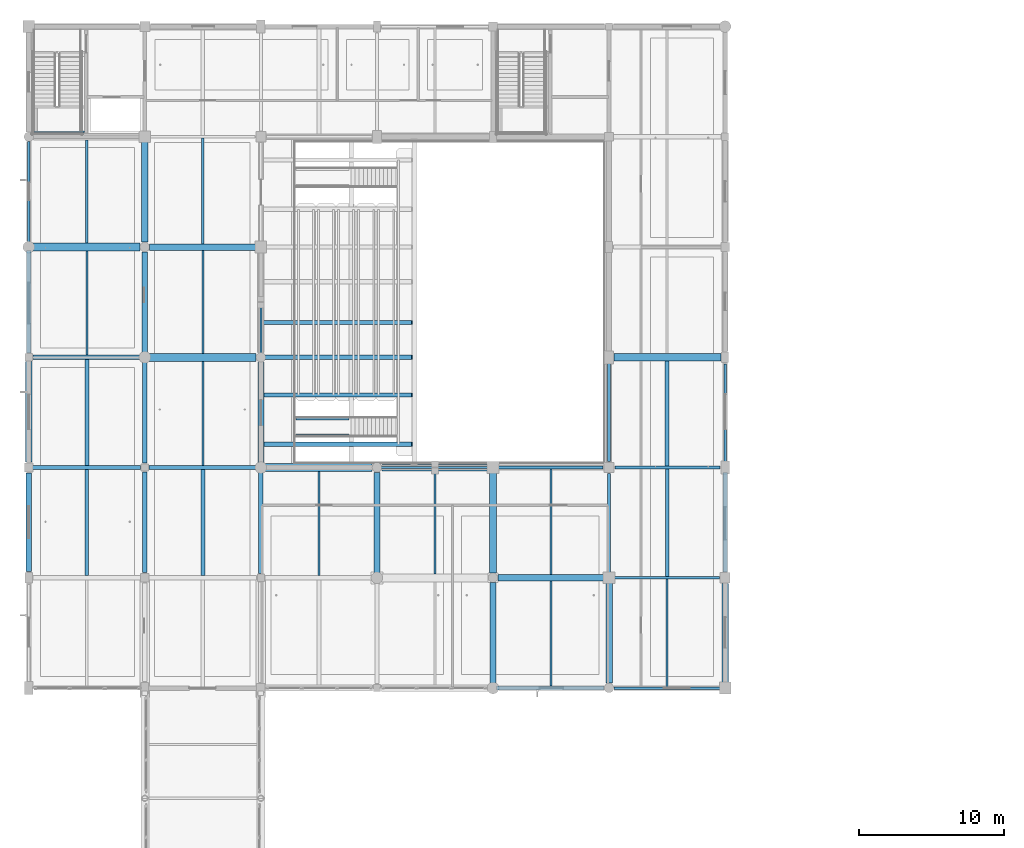
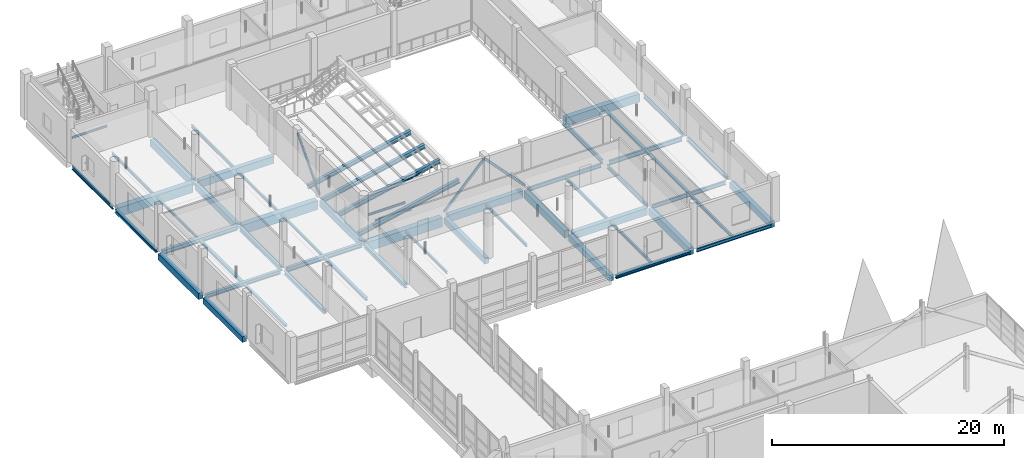
# One storey, part 35 of 147: 56 beams, 3 members.
"""IFC4 building model written with IfcOpenShell, lengths in metres."""

from ifc_helpers import new_model, si_unit, direction, frame, origin, origin_2d, place, context, subcontext, project, spatial, rectangle, hollow_rectangle, i_section, extrude, material, material_profile, profile_set, type_object, element, save


model = new_model("IFC4")

# Units and contexts
model_context = context("Model", 3, precision=1e-05, world=origin(), true_north=direction((0.0, 1.0)))
body_context = subcontext(model_context, "Body", "Model", "MODEL_VIEW")
ifc_project = project(units=[si_unit("LENGTHUNIT", "METRE"), si_unit("AREAUNIT", "SQUARE_METRE"), si_unit("VOLUMEUNIT", "CUBIC_METRE"), si_unit("PLANEANGLEUNIT", "RADIAN"), si_unit("MASSUNIT", "GRAM", prefix="KILO")], contexts=[model_context])

# Site, building, storey
site_placement = place(None, origin())
site = spatial("IfcSite", under=ifc_project, at=site_placement, CompositionType="ELEMENT")
building_placement = place(site_placement, origin())
building = spatial("IfcBuilding", under=site, at=building_placement, Name="Khelvaren Railside Concert Hall", CompositionType="ELEMENT")
storey_placement = place(building_placement, frame((0.0, 0.0, 5.39990234375)))
storey = spatial("IfcBuildingStorey", under=building, at=storey_placement, Name="L01", CompositionType="ELEMENT", Elevation=5.39990234375)

# Beams
ifc_material_1 = material(Name="Steel S355", Category="steel")
ifc_material_profile_1 = material_profile(ifc_material_1, i_section(OverallWidth=0.300048828125, OverallDepth=0.389892578125, WebThickness=0.010986328125, FlangeThickness=0.01904296875, FilletRadius=0.027099609375, at=origin_2d()), Name="HEA 400")
ifc_profile_set_1 = profile_set([ifc_material_profile_1], Name="Steel S355")
beam_type_1 = type_object("IfcBeamType", Name="BM23", PredefinedType="BEAM", material=ifc_profile_set_1)
beam_1_placement = place(storey_placement, frame((0.25, 83.60009765625, -0.494873046875), z_axis=(1.0, 0.0, 0.0), x_axis=(0.0, 1.0, 0.0)))
element("IfcBeam", 1, at=beam_1_placement, inside=storey, type_object=beam_type_1, Name="V4 L01 Beam X3.1", PredefinedType="BEAM", context=body_context, shape_type="SweptSolid", body=[
    extrude(i_section(OverallWidth=0.300048828125, OverallDepth=0.389892578125, WebThickness=0.010986328125, FlangeThickness=0.01904296875, FilletRadius=0.027099609375, at=origin_2d()), origin(), (0.0, 0.0, 1.0), 7.449951171875),
])
beam_2_placement = place(storey_placement, frame((8.0, 76.375, -0.494873046875), z_axis=(0.0, 1.0, 0.0), x_axis=(-1.0, 0.0, 0.0)))
element("IfcBeam", 2, at=beam_2_placement, inside=storey, type_object=beam_type_1, Name="V4 L01 Beam Y2.2", PredefinedType="BEAM", context=body_context, shape_type="SweptSolid", body=[
    extrude(i_section(OverallWidth=0.300048828125, OverallDepth=0.389892578125, WebThickness=0.010986328125, FlangeThickness=0.01904296875, FilletRadius=0.027099609375, at=origin_2d()), origin(), (0.0, 0.0, 1.0), 6.925048828125),
])
ifc_material_profile_2 = material_profile(ifc_material_1, i_section(OverallWidth=0.179931640625, OverallDepth=0.39990234375, WebThickness=0.008544921875, FlangeThickness=0.013427734375, FilletRadius=0.02099609375, at=origin_2d()), Name="IPE 400")
ifc_profile_set_2 = profile_set([ifc_material_profile_2], Name="Steel S355")
beam_type_2 = type_object("IfcBeamType", Name="BM29", PredefinedType="BEAM", material=ifc_profile_set_2)
for number, where, z_axis, x_axis, name in (
    (3, (40.27294921875, 76.0, -0.5), (1.0, 0.0, 0.0), (0.0, 1.0, 0.0), "V4 L01 Beam X2.6"),
    (4, (32.27294921875, 83.60009765625, -0.5), (1.0, 0.0, 0.0), (0.0, 1.0, 0.0), "V4 L01 Beam X3.5"),
):
    element("IfcBeam", number, at=place(storey_placement, frame(where, z_axis=z_axis, x_axis=x_axis)), inside=storey, type_object=beam_type_2, Name=name, PredefinedType="BEAM", context=body_context, shape_type="SweptSolid", body=[
        extrude(i_section(OverallWidth=0.179931640625, OverallDepth=0.39990234375, WebThickness=0.008544921875, FlangeThickness=0.013427734375, FilletRadius=0.02099609375, at=origin_2d()), origin(), (0.0, 0.0, 1.0), 7.3271484375),
    ])
beam_3_placement = place(storey_placement, frame((40.0, 76.27294921875, -0.5), z_axis=(0.0, 1.0, 0.0), x_axis=(-1.0, 0.0, 0.0)))
element("IfcBeam", 5, at=beam_3_placement, inside=storey, type_object=beam_type_2, Name="V4 L01 Beam Y6.2", PredefinedType="BEAM", context=body_context, shape_type="SweptSolid", body=[
    extrude(i_section(OverallWidth=0.179931640625, OverallDepth=0.39990234375, WebThickness=0.008544921875, FlangeThickness=0.013427734375, FilletRadius=0.02099609375, at=origin_2d()), origin(), (0.0, 0.0, 1.0), 6.927001953125),
])
ifc_material_profile_3 = material_profile(ifc_material_1, i_section(OverallWidth=0.1201171875, OverallDepth=0.239990234375, WebThickness=0.006103515625, FlangeThickness=0.009765625, FilletRadius=0.014892578125, at=origin_2d()), Name="IPE 240")
ifc_profile_set_3 = profile_set([ifc_material_profile_3], Name="Steel S355")
beam_type_3 = type_object("IfcBeamType", Name="BM30", PredefinedType="BEAM", material=ifc_profile_set_3)
for number, where, z_axis, x_axis, name in (
    (6, (18.409912109375, 85.85009765625, -0.31982421875), (1.0, 0.0, 0.0), (0.0, 1.0, 0.0), "Vomitory Landing Stringer ST-25-S"),
    (7, (18.409912109375, 86.949951171875, -0.31982421875), (1.0, 0.0, 0.0), (0.0, 1.0, 0.0), "Vomitory Landing Stringer ST-25-N"),
):
    element("IfcBeam", number, at=place(storey_placement, frame(where, z_axis=z_axis, x_axis=x_axis)), inside=storey, type_object=beam_type_3, Name=name, PredefinedType="BEAM", context=body_context, shape_type="SweptSolid", body=[
        extrude(i_section(OverallWidth=0.1201171875, OverallDepth=0.239990234375, WebThickness=0.006103515625, FlangeThickness=0.009765625, FilletRadius=0.014892578125, at=origin_2d()), origin(), (0.0, 0.0, 1.0), 3.66015625),
    ])
ifc_material_2 = material(Name="Concrete C40/50", Category="concrete")
ifc_material_profile_4 = material_profile(ifc_material_2, rectangle(XDim=0.39990234375, YDim=0.64990234375, at=origin_2d()), Name="RCB 400x650")
ifc_profile_set_4 = profile_set([ifc_material_profile_4], Name="Concrete C40/50")
beam_type_4 = type_object("IfcBeamType", Name="BM33", PredefinedType="BEAM", material=ifc_profile_set_4)
beam_4_placement = place(storey_placement, frame((8.0, 91.449951171875, -0.625), z_axis=(0.0, 1.0, 0.0), x_axis=(-1.0, 0.0, 0.0)))
element("IfcBeam", 8, at=beam_4_placement, inside=storey, type_object=beam_type_4, Name="V4 L01 Beam Y2.4", PredefinedType="BEAM", context=body_context, shape_type="SweptSolid", body=[
    extrude(rectangle(XDim=0.39990234375, YDim=0.64990234375, at=origin_2d()), origin(), (0.0, 0.0, 1.0), 7.01416015625),
])
for number, where, z_axis, x_axis, name in (
    (9, (16.0, 83.85009765625, -0.625), (0.0, 1.0, 0.0), (-1.0, 0.0, 0.0), "V4 L01 Beam Y3.3"),
    (10, (24.0, 76.25, -0.625), (0.0, 1.0, 0.0), (-1.0, 0.0, 0.0), "V4 L01 Beam Y4.2"),
):
    element("IfcBeam", number, at=place(storey_placement, frame(where, z_axis=z_axis, x_axis=x_axis)), inside=storey, type_object=beam_type_4, Name=name, PredefinedType="BEAM", context=body_context, shape_type="SweptSolid", body=[
        extrude(rectangle(XDim=0.39990234375, YDim=0.64990234375, at=origin_2d()), origin(), (0.0, 0.0, 1.0), 7.013916015625),
    ])
beam_5_placement = place(storey_placement, frame((32.0, 68.64990234375, -0.625), z_axis=(0.0, 1.0, 0.0), x_axis=(-1.0, 0.0, 0.0)))
element("IfcBeam", 11, at=beam_5_placement, inside=storey, type_object=beam_type_4, Name="V4 L01 Beam Y5.1", PredefinedType="BEAM", context=body_context, shape_type="SweptSolid", body=[
    extrude(rectangle(XDim=0.39990234375, YDim=0.64990234375, at=origin_2d()), origin(), (0.0, 0.0, 1.0), 7.01416015625),
])
ifc_material_profile_5 = material_profile(ifc_material_2, rectangle(XDim=0.449951171875, YDim=0.75, at=origin_2d()), Name="RCB 450x750")
ifc_profile_set_5 = profile_set([ifc_material_profile_5], Name="Concrete C40/50")
beam_type_5 = type_object("IfcBeamType", Name="BM83", PredefinedType="BEAM", material=ifc_profile_set_5)
for number, where, z_axis, x_axis, name in (
    (12, (32.3359375, 76.0, -0.6748046875), (1.0, 0.0, 0.0), (0.0, 1.0, 0.0), "V4 L01 Beam X2.5"),
    (13, (24.3359375, 83.60009765625, -0.6748046875), (1.0, 0.0, 0.0), (0.0, 1.0, 0.0), "V4 L01 Beam X3.4"),
    (14, (8.3359375, 98.800048828125, -0.6748046875), (1.0, 0.0, 0.0), (0.0, 1.0, 0.0), "V4 L01 Beam X5.2"),
):
    element("IfcBeam", number, at=place(storey_placement, frame(where, z_axis=z_axis, x_axis=x_axis)), inside=storey, type_object=beam_type_5, Name=name, PredefinedType="BEAM", context=body_context, shape_type="SweptSolid", body=[
        extrude(rectangle(XDim=0.449951171875, YDim=0.75, at=origin_2d()), origin(), (0.0, 0.0, 1.0), 7.39111328125),
    ])
for number, where, z_axis, x_axis, name in (
    (15, (8.0, 99.135986328125, -0.6748046875), (0.0, 1.0, 0.0), (-1.0, 0.0, 0.0), "V4 L01 Beam Y2.5"),
    (16, (32.0, 76.3359375, -0.6748046875), (0.0, 1.0, 0.0), (-1.0, 0.0, 0.0), "V4 L01 Beam Y5.2"),
    (17, (40.0, 68.736083984375, -0.6748046875), (0.0, 1.0, 0.0), (-1.0, 0.0, 0.0), "V4 L01 Beam Y6.1"),
):
    element("IfcBeam", number, at=place(storey_placement, frame(where, z_axis=z_axis, x_axis=x_axis)), inside=storey, type_object=beam_type_5, Name=name, PredefinedType="BEAM", context=body_context, shape_type="SweptSolid", body=[
        extrude(rectangle(XDim=0.449951171875, YDim=0.75, at=origin_2d()), origin(), (0.0, 0.0, 1.0), 6.990966796875),
    ])
ifc_material_profile_6 = material_profile(ifc_material_1, i_section(OverallWidth=0.110107421875, OverallDepth=0.219970703125, WebThickness=0.005859375, FlangeThickness=0.00927734375, FilletRadius=0.011962890625, at=origin_2d()), Name="IPE 220")
ifc_profile_set_6 = profile_set([ifc_material_profile_6], Name="Steel S355")
beam_type_6 = type_object("IfcBeamType", Name="BM87", PredefinedType="BEAM", material=ifc_profile_set_6)
beam_6_placement = place(storey_placement, frame((0.344970703125, 106.760009765625, 2.090087890625), z_axis=(1.0, 0.0, 0.0), x_axis=(0.0, 1.0, 0.0)))
element("IfcBeam", 18, at=beam_6_placement, inside=storey, type_object=beam_type_6, Name="ST-07 L01 Half-Landing Rear Beam", PredefinedType="BEAM", context=body_context, shape_type="SweptSolid", body=[
    extrude(i_section(OverallWidth=0.110107421875, OverallDepth=0.219970703125, WebThickness=0.005859375, FlangeThickness=0.00927734375, FilletRadius=0.011962890625, at=origin_2d()), origin(), (0.0, 0.0, 1.0), 3.4951171875),
])
ifc_material_profile_7 = material_profile(ifc_material_1, i_section(OverallWidth=0.300048828125, OverallDepth=0.43994140625, WebThickness=0.011474609375, FlangeThickness=0.02099609375, FilletRadius=0.027099609375, at=origin_2d()), Name="HEA 450")
ifc_profile_set_7 = profile_set([ifc_material_profile_7], Name="Steel S355")
beam_type_7 = type_object("IfcBeamType", Name="BM89", PredefinedType="BEAM", material=ifc_profile_set_7)
for number, where, z_axis, x_axis, name in (
    (19, (8.300048828125, 83.60009765625, -0.52001953125), (1.0, 0.0, 0.0), (0.0, 1.0, 0.0), "V4 L01 Beam X3.2"),
    (20, (0.300048828125, 91.199951171875, -0.52001953125), (1.0, 0.0, 0.0), (0.0, 1.0, 0.0), "V4 L01 Beam X4.1"),
):
    element("IfcBeam", number, at=place(storey_placement, frame(where, z_axis=z_axis, x_axis=x_axis)), inside=storey, type_object=beam_type_7, Name=name, PredefinedType="BEAM", context=body_context, shape_type="SweptSolid", body=[
        extrude(i_section(OverallWidth=0.300048828125, OverallDepth=0.43994140625, WebThickness=0.011474609375, FlangeThickness=0.02099609375, FilletRadius=0.027099609375, at=origin_2d()), origin(), (0.0, 0.0, 1.0), 7.449951171875),
    ])
for number, where, z_axis, x_axis, name in (
    (21, (8.0, 83.89990234375, -0.52001953125), (0.0, 1.0, 0.0), (-1.0, 0.0, 0.0), "V4 L01 Beam Y2.3"),
    (22, (16.0, 76.300048828125, -0.52001953125), (0.0, 1.0, 0.0), (-1.0, 0.0, 0.0), "V4 L01 Beam Y3.2"),
):
    element("IfcBeam", number, at=place(storey_placement, frame(where, z_axis=z_axis, x_axis=x_axis)), inside=storey, type_object=beam_type_7, Name=name, PredefinedType="BEAM", context=body_context, shape_type="SweptSolid", body=[
        extrude(i_section(OverallWidth=0.300048828125, OverallDepth=0.43994140625, WebThickness=0.011474609375, FlangeThickness=0.02099609375, FilletRadius=0.027099609375, at=origin_2d()), origin(), (0.0, 0.0, 1.0), 7.050048828125),
    ])
ifc_material_profile_8 = material_profile(ifc_material_1, i_section(OverallWidth=0.18994140625, OverallDepth=0.449951171875, WebThickness=0.009521484375, FlangeThickness=0.0146484375, FilletRadius=0.02099609375, at=origin_2d()), Name="IPE 450")
ifc_profile_set_8 = profile_set([ifc_material_profile_8], Name="Steel S355")
beam_type_8 = type_object("IfcBeamType", Name="BM95", PredefinedType="BEAM", material=ifc_profile_set_8)
beam_7_placement = place(storey_placement, frame((40.39990234375, 83.60009765625, -0.52490234375), z_axis=(1.0, 0.0, 0.0), x_axis=(0.0, 1.0, 0.0)))
element("IfcBeam", 23, at=beam_7_placement, inside=storey, type_object=beam_type_8, Name="V4 L01 Beam X3.6", PredefinedType="BEAM", context=body_context, shape_type="SweptSolid", body=[
    extrude(i_section(OverallWidth=0.18994140625, OverallDepth=0.449951171875, WebThickness=0.009521484375, FlangeThickness=0.0146484375, FilletRadius=0.02099609375, at=origin_2d()), origin(), (0.0, 0.0, 1.0), 7.25),
])
beam_8_placement = place(storey_placement, frame((40.0, 84.0, -0.52490234375), z_axis=(0.0, 1.0, 0.0), x_axis=(-1.0, 0.0, 0.0)))
element("IfcBeam", 24, at=beam_8_placement, inside=storey, type_object=beam_type_8, Name="V4 L01 Beam Y6.3", PredefinedType="BEAM", context=body_context, shape_type="SweptSolid", body=[
    extrude(i_section(OverallWidth=0.18994140625, OverallDepth=0.449951171875, WebThickness=0.009521484375, FlangeThickness=0.0146484375, FilletRadius=0.02099609375, at=origin_2d()), origin(), (0.0, 0.0, 1.0), 6.85009765625),
])

# Members
ifc_material_profile_9 = material_profile(ifc_material_1, hollow_rectangle(XDim=0.14990234375, YDim=0.25, WallThickness=0.012451171875, InnerFilletRadius=0.012451171875, OuterFilletRadius=0.01904296875, at=origin_2d()), Name="RHS 250x150x12.5")
ifc_profile_set_9 = profile_set([ifc_material_profile_9], Name="Steel S355")
member_type = type_object("IfcMemberType", Name="BR52", PredefinedType="BRACE", material=ifc_profile_set_9)
member_placement = place(storey_placement, frame((16.0, 91.199951171875, 0.050048828125), z_axis=(0.0, 0.670043795983, 0.742321568772), x_axis=(-1.0, 0.0, 0.0)))
element("IfcMember", 25, at=member_placement, inside=storey, type_object=member_type, Name="V4 L01 Seismic Chevron Brace 43", PredefinedType="BRACE", context=body_context, shape_type="SweptSolid", body=[
    extrude(hollow_rectangle(XDim=0.14990234375, YDim=0.25, WallThickness=0.012451171875, InnerFilletRadius=0.012451171875, OuterFilletRadius=0.01904296875, at=origin_2d()), origin(), (0.0, 0.0, 1.0), 5.67138671875),
])
for number, where, z_axis, x_axis, name in (
    (26, (24.0, 83.60009765625, 0.050048828125), (0.688798075334, 0.0, 0.724953247745), (0.0, 1.0, 0.0), "V4 L01 Seismic Chevron Brace 47"),
    (27, (32.0, 83.60009765625, 0.050048828125), (-0.688798075334, 0.0, 0.724953247745), (0.0, -1.0, 0.0), "V4 L01 Seismic Chevron Brace 48"),
):
    element("IfcMember", number, at=place(storey_placement, frame(where, z_axis=z_axis, x_axis=x_axis)), inside=storey, type_object=member_type, Name=name, PredefinedType="BRACE", context=body_context, shape_type="SweptSolid", body=[
        extrude(hollow_rectangle(XDim=0.14990234375, YDim=0.25, WallThickness=0.012451171875, InnerFilletRadius=0.012451171875, OuterFilletRadius=0.01904296875, at=origin_2d()), origin(), (0.0, 0.0, 1.0), 5.80712890625),
    ])

# Beams
ifc_material_profile_10 = material_profile(ifc_material_2, rectangle(XDim=0.550048828125, YDim=0.949951171875, at=origin_2d()), Name="RCB 550x950")
ifc_profile_set_10 = profile_set([ifc_material_profile_10], Name="Concrete C40/50")
beam_type_9 = type_object("IfcBeamType", Name="GR57", PredefinedType="T_BEAM", material=ifc_profile_set_10)
for number, where, z_axis, x_axis, name in (
    (28, (16.25, 83.60009765625, -0.77490234375), (1.0, 0.0, 0.0), (0.0, 1.0, 0.0), "V4 L01 T_Beam X3.3"),
    (29, (8.25, 91.199951171875, -0.77490234375), (1.0, 0.0, 0.0), (0.0, 1.0, 0.0), "V4 L01 T_Beam X4.2"),
    (30, (0.25, 98.800048828125, -0.77490234375), (1.0, 0.0, 0.0), (0.0, 1.0, 0.0), "V4 L01 T_Beam X5.1"),
):
    element("IfcBeam", number, at=place(storey_placement, frame(where, z_axis=z_axis, x_axis=x_axis)), inside=storey, type_object=beam_type_9, Name=name, PredefinedType="T_BEAM", context=body_context, shape_type="SweptSolid", body=[
        extrude(rectangle(XDim=0.550048828125, YDim=0.949951171875, at=origin_2d()), origin(), (0.0, 0.0, 1.0), 7.4140625),
    ])
ifc_material_profile_11 = material_profile(ifc_material_2, rectangle(XDim=0.5, YDim=0.85009765625, at=origin_2d()), Name="RCB 500x850")
ifc_profile_set_11 = profile_set([ifc_material_profile_11], Name="Concrete C40/50")
beam_type_10 = type_object("IfcBeamType", Name="GR96", PredefinedType="T_BEAM", material=ifc_profile_set_11)
beam_9_placement = place(storey_placement, frame((40.35009765625, 91.199951171875, -0.724853515625), z_axis=(1.0, 0.0, 0.0), x_axis=(0.0, 1.0, 0.0)))
element("IfcBeam", 31, at=beam_9_placement, inside=storey, type_object=beam_type_10, Name="V4 L01 T_Beam X4.6", PredefinedType="T_BEAM", context=body_context, shape_type="SweptSolid", body=[
    extrude(rectangle(XDim=0.5, YDim=0.85009765625, at=origin_2d()), origin(), (0.0, 0.0, 1.0), 7.349853515625),
])
ifc_material_profile_12 = material_profile(ifc_material_1, i_section(OverallWidth=0.14990234375, OverallDepth=0.300048828125, WebThickness=0.007080078125, FlangeThickness=0.0107421875, FilletRadius=0.014892578125, at=origin_2d()), Name="IPE 300")
ifc_profile_set_12 = profile_set([ifc_material_profile_12], Name="Steel S355")
beam_type_11 = type_object("IfcBeamType", Name="JS26", PredefinedType="JOIST", material=ifc_profile_set_12)
beam_10_placement = place(storey_placement, frame((4.0, 99.074951171875, -0.449951171875), z_axis=(0.0, 1.0, 0.0), x_axis=(-1.0, 0.0, 0.0)))
element("IfcBeam", 32, at=beam_10_placement, inside=storey, type_object=beam_type_11, Name="V4 L01 Secondary Joist 1.5", PredefinedType="JOIST", context=body_context, shape_type="SweptSolid", body=[
    extrude(i_section(OverallWidth=0.14990234375, OverallDepth=0.300048828125, WebThickness=0.007080078125, FlangeThickness=0.0107421875, FilletRadius=0.014892578125, at=origin_2d()), origin(), (0.0, 0.0, 1.0), 7.10009765625),
])
beam_11_placement = place(storey_placement, frame((12.0, 91.47509765625, -0.449951171875), z_axis=(0.0, 1.0, 0.0), x_axis=(-1.0, 0.0, 0.0)))
element("IfcBeam", 33, at=beam_11_placement, inside=storey, type_object=beam_type_11, Name="V4 L01 Secondary Joist 2.4", PredefinedType="JOIST", context=body_context, shape_type="SweptSolid", body=[
    extrude(i_section(OverallWidth=0.14990234375, OverallDepth=0.300048828125, WebThickness=0.007080078125, FlangeThickness=0.0107421875, FilletRadius=0.014892578125, at=origin_2d()), origin(), (0.0, 0.0, 1.0), 7.099853515625),
])
beam_12_placement = place(storey_placement, frame((28.0, 76.27490234375, -0.449951171875), z_axis=(0.0, 1.0, 0.0), x_axis=(-1.0, 0.0, 0.0)))
element("IfcBeam", 34, at=beam_12_placement, inside=storey, type_object=beam_type_11, Name="V4 L01 Secondary Joist 4.2", PredefinedType="JOIST", context=body_context, shape_type="SweptSolid", body=[
    extrude(i_section(OverallWidth=0.14990234375, OverallDepth=0.300048828125, WebThickness=0.007080078125, FlangeThickness=0.0107421875, FilletRadius=0.014892578125, at=origin_2d()), origin(), (0.0, 0.0, 1.0), 7.10009765625),
])
beam_13_placement = place(storey_placement, frame((36.0, 68.550048828125, -0.449951171875), z_axis=(0.0, 1.0, 0.0), x_axis=(-1.0, 0.0, 0.0)))
element("IfcBeam", 35, at=beam_13_placement, inside=storey, type_object=beam_type_11, Name="V4 L01 Secondary Joist 5.1", PredefinedType="JOIST", context=body_context, shape_type="SweptSolid", body=[
    extrude(i_section(OverallWidth=0.14990234375, OverallDepth=0.300048828125, WebThickness=0.007080078125, FlangeThickness=0.0107421875, FilletRadius=0.014892578125, at=origin_2d()), origin(), (0.0, 0.0, 1.0), 7.224853515625),
])
ifc_material_profile_13 = material_profile(ifc_material_1, i_section(OverallWidth=0.280029296875, OverallDepth=0.27001953125, WebThickness=0.008056640625, FlangeThickness=0.012939453125, FilletRadius=0.02392578125, at=origin_2d()), Name="HEA 280")
ifc_profile_set_13 = profile_set([ifc_material_profile_13], Name="Steel S355")
beam_type_12 = type_object("IfcBeamType", Name="JS46", PredefinedType="JOIST", material=ifc_profile_set_13)
for number, where, z_axis, x_axis, name in (
    (36, (4.0, 83.75, -0.434814453125), (0.0, 1.0, 0.0), (-1.0, 0.0, 0.0), "V4 L01 Secondary Joist 1.3"),
    (37, (12.0, 76.14990234375, -0.434814453125), (0.0, 1.0, 0.0), (-1.0, 0.0, 0.0), "V4 L01 Secondary Joist 2.2"),
):
    element("IfcBeam", number, at=place(storey_placement, frame(where, z_axis=z_axis, x_axis=x_axis)), inside=storey, type_object=beam_type_12, Name=name, PredefinedType="JOIST", context=body_context, shape_type="SweptSolid", body=[
        extrude(i_section(OverallWidth=0.280029296875, OverallDepth=0.27001953125, WebThickness=0.008056640625, FlangeThickness=0.012939453125, FilletRadius=0.02392578125, at=origin_2d()), origin(), (0.0, 0.0, 1.0), 7.300048828125),
    ])
beam_14_placement = place(storey_placement, frame((44.0, 83.695068359375, -0.434814453125), z_axis=(0.0, 1.0, 0.0), x_axis=(-1.0, 0.0, 0.0)))
element("IfcBeam", 38, at=beam_14_placement, inside=storey, type_object=beam_type_12, Name="V4 L01 Secondary Joist 6.3", PredefinedType="JOIST", context=body_context, shape_type="SweptSolid", body=[
    extrude(i_section(OverallWidth=0.280029296875, OverallDepth=0.27001953125, WebThickness=0.008056640625, FlangeThickness=0.012939453125, FilletRadius=0.02392578125, at=origin_2d()), origin(), (0.0, 0.0, 1.0), 7.2548828125),
])
ifc_material_profile_14 = material_profile(ifc_material_1, i_section(OverallWidth=0.159912109375, OverallDepth=0.330078125, WebThickness=0.007568359375, FlangeThickness=0.011474609375, FilletRadius=0.01806640625, at=origin_2d()), Name="IPE 330")
ifc_profile_set_14 = profile_set([ifc_material_profile_14], Name="Steel S355")
beam_type_13 = type_object("IfcBeamType", Name="JS65", PredefinedType="JOIST", material=ifc_profile_set_14)
beam_15_placement = place(storey_placement, frame((12.0, 99.02490234375, -0.46484375), z_axis=(0.0, 1.0, 0.0), x_axis=(-1.0, 0.0, 0.0)))
element("IfcBeam", 39, at=beam_15_placement, inside=storey, type_object=beam_type_13, Name="V4 L01 Secondary Joist 2.5", PredefinedType="JOIST", context=body_context, shape_type="SweptSolid", body=[
    extrude(i_section(OverallWidth=0.159912109375, OverallDepth=0.330078125, WebThickness=0.007568359375, FlangeThickness=0.011474609375, FilletRadius=0.01806640625, at=origin_2d()), origin(), (0.0, 0.0, 1.0), 7.28515625),
])
beam_16_placement = place(storey_placement, frame((36.0, 76.22509765625, -0.46484375), z_axis=(0.0, 1.0, 0.0), x_axis=(-1.0, 0.0, 0.0)))
element("IfcBeam", 40, at=beam_16_placement, inside=storey, type_object=beam_type_13, Name="V4 L01 Secondary Joist 5.2", PredefinedType="JOIST", context=body_context, shape_type="SweptSolid", body=[
    extrude(i_section(OverallWidth=0.159912109375, OverallDepth=0.330078125, WebThickness=0.007568359375, FlangeThickness=0.011474609375, FilletRadius=0.01806640625, at=origin_2d()), origin(), (0.0, 0.0, 1.0), 7.284912109375),
])
beam_17_placement = place(storey_placement, frame((44.0, 68.485107421875, -0.46484375), z_axis=(0.0, 1.0, 0.0), x_axis=(-1.0, 0.0, 0.0)))
element("IfcBeam", 41, at=beam_17_placement, inside=storey, type_object=beam_type_13, Name="V4 L01 Secondary Joist 6.1", PredefinedType="JOIST", context=body_context, shape_type="SweptSolid", body=[
    extrude(i_section(OverallWidth=0.159912109375, OverallDepth=0.330078125, WebThickness=0.007568359375, FlangeThickness=0.011474609375, FilletRadius=0.01806640625, at=origin_2d()), origin(), (0.0, 0.0, 1.0), 7.4248046875),
])
ifc_material_profile_15 = material_profile(ifc_material_1, i_section(OverallWidth=0.239990234375, OverallDepth=0.22998046875, WebThickness=0.007568359375, FlangeThickness=0.011962890625, FilletRadius=0.02099609375, at=origin_2d()), Name="HEA 240")
ifc_profile_set_15 = profile_set([ifc_material_profile_15], Name="Steel S355")
beam_type_14 = type_object("IfcBeamType", Name="JS76", PredefinedType="JOIST", material=ifc_profile_set_15)
beam_18_placement = place(storey_placement, frame((4.0, 76.14990234375, -0.414794921875), z_axis=(0.0, 1.0, 0.0), x_axis=(-1.0, 0.0, 0.0)))
element("IfcBeam", 42, at=beam_18_placement, inside=storey, type_object=beam_type_14, Name="V4 L01 Secondary Joist 1.2", PredefinedType="JOIST", context=body_context, shape_type="SweptSolid", body=[
    extrude(i_section(OverallWidth=0.239990234375, OverallDepth=0.22998046875, WebThickness=0.007568359375, FlangeThickness=0.011962890625, FilletRadius=0.02099609375, at=origin_2d()), origin(), (0.0, 0.0, 1.0), 7.300048828125),
])
beam_19_placement = place(storey_placement, frame((44.0, 76.090087890625, -0.414794921875), z_axis=(0.0, 1.0, 0.0), x_axis=(-1.0, 0.0, 0.0)))
element("IfcBeam", 43, at=beam_19_placement, inside=storey, type_object=beam_type_14, Name="V4 L01 Secondary Joist 6.2", PredefinedType="JOIST", context=body_context, shape_type="SweptSolid", body=[
    extrude(i_section(OverallWidth=0.239990234375, OverallDepth=0.22998046875, WebThickness=0.007568359375, FlangeThickness=0.011962890625, FilletRadius=0.02099609375, at=origin_2d()), origin(), (0.0, 0.0, 1.0), 7.414794921875),
])
ifc_material_profile_16 = material_profile(ifc_material_1, i_section(OverallWidth=0.135009765625, OverallDepth=0.27001953125, WebThickness=0.006591796875, FlangeThickness=0.01025390625, FilletRadius=0.014892578125, at=origin_2d()), Name="IPE 270")
ifc_profile_set_16 = profile_set([ifc_material_profile_16], Name="Steel S355")
beam_type_15 = type_object("IfcBeamType", Name="JS78", PredefinedType="JOIST", material=ifc_profile_set_16)
beam_20_placement = place(storey_placement, frame((4.0, 91.35009765625, -0.434814453125), z_axis=(0.0, 1.0, 0.0), x_axis=(-1.0, 0.0, 0.0)))
element("IfcBeam", 44, at=beam_20_placement, inside=storey, type_object=beam_type_15, Name="V4 L01 Secondary Joist 1.4", PredefinedType="JOIST", context=body_context, shape_type="SweptSolid", body=[
    extrude(i_section(OverallWidth=0.135009765625, OverallDepth=0.27001953125, WebThickness=0.006591796875, FlangeThickness=0.01025390625, FilletRadius=0.014892578125, at=origin_2d()), origin(), (0.0, 0.0, 1.0), 7.1748046875),
])
for number, where, z_axis, x_axis, name in (
    (45, (12.0, 83.75, -0.434814453125), (0.0, 1.0, 0.0), (-1.0, 0.0, 0.0), "V4 L01 Secondary Joist 2.3"),
    (46, (20.0, 76.14990234375, -0.434814453125), (0.0, 1.0, 0.0), (-1.0, 0.0, 0.0), "V4 L01 Secondary Joist 3.2"),
):
    element("IfcBeam", number, at=place(storey_placement, frame(where, z_axis=z_axis, x_axis=x_axis)), inside=storey, type_object=beam_type_15, Name=name, PredefinedType="JOIST", context=body_context, shape_type="SweptSolid", body=[
        extrude(i_section(OverallWidth=0.135009765625, OverallDepth=0.27001953125, WebThickness=0.006591796875, FlangeThickness=0.01025390625, FilletRadius=0.014892578125, at=origin_2d()), origin(), (0.0, 0.0, 1.0), 7.175048828125),
    ])
ifc_material_profile_17 = material_profile(ifc_material_1, i_section(OverallWidth=0.300048828125, OverallDepth=0.449951171875, WebThickness=0.013916015625, FlangeThickness=0.02587890625, FilletRadius=0.027099609375, at=origin_2d()), Name="HEB 450")
ifc_profile_set_17 = profile_set([ifc_material_profile_17], Name="Steel S355")
beam_type_16 = type_object("IfcBeamType", Name="RK43", PredefinedType="USERDEFINED", material=ifc_profile_set_17)
for number, where, z_axis, x_axis, name in (
    (47, (16.169921875, 85.199951171875, -0.63818359375), (0.977766955308, 0.0, 0.209694494702), (0.0, 1.0, 0.0), "V4-L01 Balcony Raker Beam 1"),
    (48, (16.169921875, 91.199951171875, -0.63818359375), (0.977766955308, 0.0, 0.209694494702), (0.0, 1.0, 0.0), "V4-L01 Balcony Raker Beam 3"),
):
    element("IfcBeam", number, at=place(storey_placement, frame(where, z_axis=z_axis, x_axis=x_axis)), inside=storey, type_object=beam_type_16, Name=name, ObjectType="RAKER", PredefinedType="USERDEFINED", context=body_context, shape_type="SweptSolid", body=[
        extrude(i_section(OverallWidth=0.300048828125, OverallDepth=0.449951171875, WebThickness=0.013916015625, FlangeThickness=0.02587890625, FilletRadius=0.027099609375, at=origin_2d()), origin(), (0.0, 0.0, 1.0), 10.483154296875),
    ])
ifc_material_profile_18 = material_profile(ifc_material_1, i_section(OverallWidth=0.300048828125, OverallDepth=0.43994140625, WebThickness=0.011474609375, FlangeThickness=0.02099609375, FilletRadius=0.027099609375, at=origin_2d()), Name="HEA 450")
ifc_profile_set_18 = profile_set([ifc_material_profile_18], Name="Steel S355")
beam_type_17 = type_object("IfcBeamType", Name="RK59", PredefinedType="USERDEFINED", material=ifc_profile_set_18)
for number, where, z_axis, x_axis, name in (
    (49, (16.169921875, 88.60009765625, -0.63818359375), (0.977766955308, 0.0, 0.209694494702), (0.0, 1.0, 0.0), "V4-L01 Balcony Raker Beam 2"),
    (50, (16.169921875, 93.60009765625, -0.63818359375), (0.977766955308, 0.0, 0.209694494702), (0.0, 1.0, 0.0), "V4-L01 Balcony Raker Beam 4"),
):
    element("IfcBeam", number, at=place(storey_placement, frame(where, z_axis=z_axis, x_axis=x_axis)), inside=storey, type_object=beam_type_17, Name=name, ObjectType="RAKER", PredefinedType="USERDEFINED", context=body_context, shape_type="SweptSolid", body=[
        extrude(i_section(OverallWidth=0.300048828125, OverallDepth=0.43994140625, WebThickness=0.011474609375, FlangeThickness=0.02099609375, FilletRadius=0.027099609375, at=origin_2d()), origin(), (0.0, 0.0, 1.0), 10.483154296875),
    ])
ifc_material_profile_19 = material_profile(ifc_material_2, rectangle(XDim=0.449951171875, YDim=0.64990234375, at=origin_2d()), Name="RCB 450x650")
ifc_profile_set_19 = profile_set([ifc_material_profile_19], Name="Concrete C40/50")
beam_type_18 = type_object("IfcBeamType", Name="SP34", PredefinedType="SPANDREL", material=ifc_profile_set_19)
beam_21_placement = place(storey_placement, frame((0.0, 83.97509765625, -0.625), z_axis=(0.0, 1.0, 0.0), x_axis=(-1.0, 0.0, 0.0)))
element("IfcBeam", 51, at=beam_21_placement, inside=storey, type_object=beam_type_18, Name="V4 L01 Spandrel Y1.3", PredefinedType="SPANDREL", context=body_context, shape_type="SweptSolid", body=[
    extrude(rectangle(XDim=0.449951171875, YDim=0.64990234375, at=origin_2d()), origin(), (0.0, 0.0, 1.0), 6.9248046875),
])
beam_22_placement = place(storey_placement, frame((48.0, 68.673095703125, -0.625), z_axis=(0.0, 1.0, 0.0), x_axis=(-1.0, 0.0, 0.0)))
element("IfcBeam", 52, at=beam_22_placement, inside=storey, type_object=beam_type_18, Name="V4 L01 Spandrel Y7.1", PredefinedType="SPANDREL", context=body_context, shape_type="SweptSolid", body=[
    extrude(rectangle(XDim=0.449951171875, YDim=0.64990234375, at=origin_2d()), origin(), (0.0, 0.0, 1.0), 6.927001953125),
])
ifc_material_profile_20 = material_profile(ifc_material_1, i_section(OverallWidth=0.300048828125, OverallDepth=0.31005859375, WebThickness=0.009033203125, FlangeThickness=0.015380859375, FilletRadius=0.027099609375, at=origin_2d()), Name="HEA 320")
ifc_profile_set_20 = profile_set([ifc_material_profile_20], Name="Steel S355")
beam_type_19 = type_object("IfcBeamType", Name="SP66", PredefinedType="SPANDREL", material=ifc_profile_set_20)
beam_23_placement = place(storey_placement, frame((32.25, 68.39990234375, -0.454833984375), z_axis=(1.0, 0.0, 0.0), x_axis=(0.0, 1.0, 0.0)))
element("IfcBeam", 53, at=beam_23_placement, inside=storey, type_object=beam_type_19, Name="V4 L01 Spandrel X1.5", PredefinedType="SPANDREL", context=body_context, shape_type="SweptSolid", body=[
    extrude(i_section(OverallWidth=0.300048828125, OverallDepth=0.31005859375, WebThickness=0.009033203125, FlangeThickness=0.015380859375, FilletRadius=0.027099609375, at=origin_2d()), origin(), (0.0, 0.0, 1.0), 7.4140625),
])
beam_24_placement = place(storey_placement, frame((0.0, 91.5, -0.454833984375), z_axis=(0.0, 1.0, 0.0), x_axis=(-1.0, 0.0, 0.0)))
element("IfcBeam", 54, at=beam_24_placement, inside=storey, type_object=beam_type_19, Name="V4 L01 Spandrel Y1.4", PredefinedType="SPANDREL", context=body_context, shape_type="SweptSolid", body=[
    extrude(i_section(OverallWidth=0.300048828125, OverallDepth=0.31005859375, WebThickness=0.009033203125, FlangeThickness=0.015380859375, FilletRadius=0.027099609375, at=origin_2d()), origin(), (0.0, 0.0, 1.0), 7.050048828125),
])
beam_25_placement = place(storey_placement, frame((48.0, 76.39990234375, -0.454833984375), z_axis=(0.0, 1.0, 0.0), x_axis=(-1.0, 0.0, 0.0)))
element("IfcBeam", 55, at=beam_25_placement, inside=storey, type_object=beam_type_19, Name="V4 L01 Spandrel Y7.2", PredefinedType="SPANDREL", context=body_context, shape_type="SweptSolid", body=[
    extrude(i_section(OverallWidth=0.300048828125, OverallDepth=0.31005859375, WebThickness=0.009033203125, FlangeThickness=0.015380859375, FilletRadius=0.027099609375, at=origin_2d()), origin(), (0.0, 0.0, 1.0), 6.85009765625),
])
ifc_material_profile_21 = material_profile(ifc_material_1, i_section(OverallWidth=0.169921875, OverallDepth=0.360107421875, WebThickness=0.008056640625, FlangeThickness=0.0126953125, FilletRadius=0.01806640625, at=origin_2d()), Name="IPE 360")
ifc_profile_set_21 = profile_set([ifc_material_profile_21], Name="Steel S355")
beam_type_20 = type_object("IfcBeamType", Name="SP74", PredefinedType="SPANDREL", material=ifc_profile_set_21)
beam_26_placement = place(storey_placement, frame((40.3359375, 68.39990234375, -0.47998046875), z_axis=(1.0, 0.0, 0.0), x_axis=(0.0, 1.0, 0.0)))
element("IfcBeam", 56, at=beam_26_placement, inside=storey, type_object=beam_type_20, Name="V4 L01 Spandrel X1.6", PredefinedType="SPANDREL", context=body_context, shape_type="SweptSolid", body=[
    extrude(i_section(OverallWidth=0.169921875, OverallDepth=0.360107421875, WebThickness=0.008056640625, FlangeThickness=0.0126953125, FilletRadius=0.01806640625, at=origin_2d()), origin(), (0.0, 0.0, 1.0), 7.39111328125),
])
beam_27_placement = place(storey_placement, frame((0.0, 99.050048828125, -0.47998046875), z_axis=(0.0, 1.0, 0.0), x_axis=(-1.0, 0.0, 0.0)))
element("IfcBeam", 57, at=beam_27_placement, inside=storey, type_object=beam_type_20, Name="V4 L01 Spandrel Y1.5", PredefinedType="SPANDREL", context=body_context, shape_type="SweptSolid", body=[
    extrude(i_section(OverallWidth=0.169921875, OverallDepth=0.360107421875, WebThickness=0.008056640625, FlangeThickness=0.0126953125, FilletRadius=0.01806640625, at=origin_2d()), origin(), (0.0, 0.0, 1.0), 7.013916015625),
])
beam_28_placement = place(storey_placement, frame((48.0, 83.949951171875, -0.47998046875), z_axis=(0.0, 1.0, 0.0), x_axis=(-1.0, 0.0, 0.0)))
element("IfcBeam", 58, at=beam_28_placement, inside=storey, type_object=beam_type_20, Name="V4 L01 Spandrel Y7.3", PredefinedType="SPANDREL", context=body_context, shape_type="SweptSolid", body=[
    extrude(i_section(OverallWidth=0.169921875, OverallDepth=0.360107421875, WebThickness=0.008056640625, FlangeThickness=0.0126953125, FilletRadius=0.01806640625, at=origin_2d()), origin(), (0.0, 0.0, 1.0), 6.800048828125),
])
ifc_material_profile_22 = material_profile(ifc_material_2, rectangle(XDim=0.39990234375, YDim=0.60009765625, at=origin_2d()), Name="RCB 400x600")
ifc_profile_set_22 = profile_set([ifc_material_profile_22], Name="Concrete C40/50")
beam_type_21 = type_object("IfcBeamType", Name="SP75", PredefinedType="SPANDREL", material=ifc_profile_set_22)
beam_29_placement = place(storey_placement, frame((0.0, 76.449951171875, -0.599853515625), z_axis=(0.0, 1.0, 0.0), x_axis=(-1.0, 0.0, 0.0)))
element("IfcBeam", 59, at=beam_29_placement, inside=storey, type_object=beam_type_21, Name="V4 L01 Spandrel Y1.2", PredefinedType="SPANDREL", context=body_context, shape_type="SweptSolid", body=[
    extrude(rectangle(XDim=0.39990234375, YDim=0.60009765625, at=origin_2d()), origin(), (0.0, 0.0, 1.0), 6.775146484375),
])

save(model, "model.ifc")
